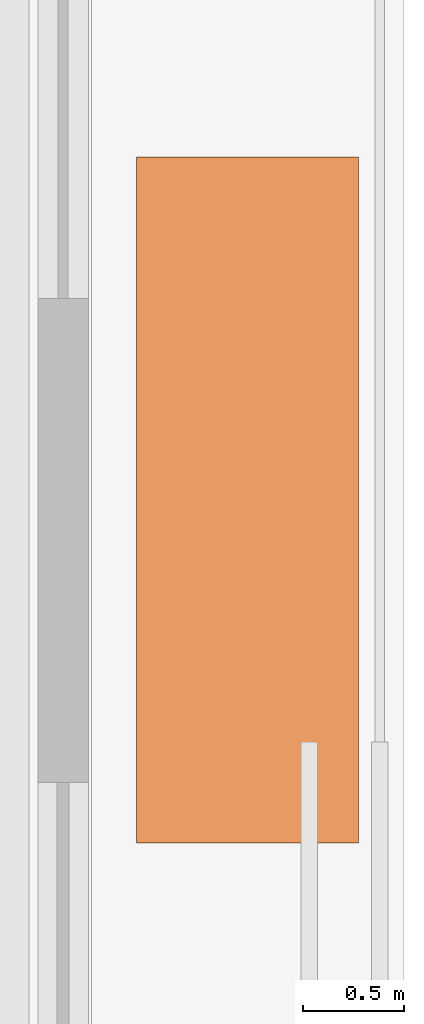
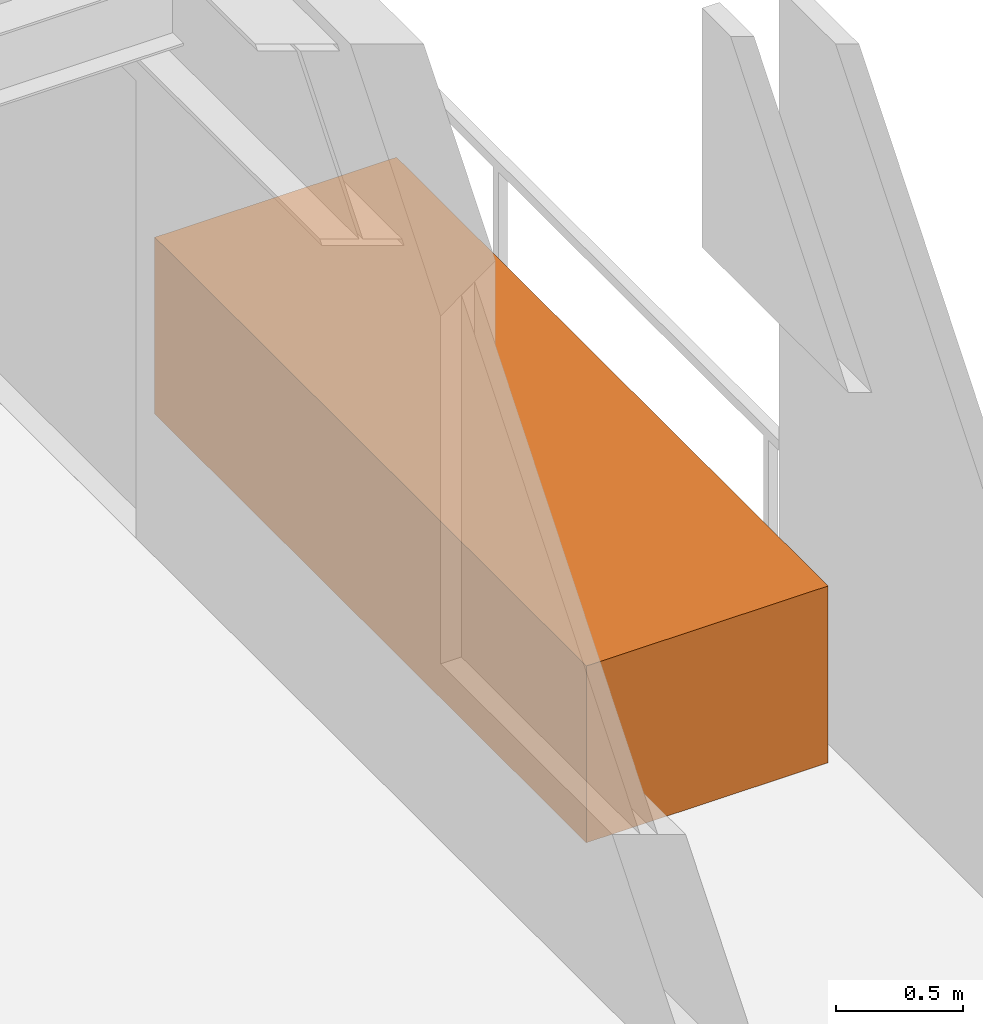
# One storey, part 30 of 30: 1 proxy.
"""IFC4 building model written with IfcOpenShell, lengths in metres."""

from ifc_helpers import new_model, si_unit, direction, frame, origin, origin_2d, place, context, subcontext, project, spatial, rectangle, extrude, material, type_object, element, save


model = new_model("IFC4")

# Units and contexts
model_context = context("Model", 3, precision=1e-05, world=origin(), true_north=direction((0.0, 1.0)))
body_context = subcontext(model_context, "Body", "Model", "MODEL_VIEW")
ifc_project = project(units=[si_unit("LENGTHUNIT", "METRE"), si_unit("AREAUNIT", "SQUARE_METRE"), si_unit("VOLUMEUNIT", "CUBIC_METRE"), si_unit("PLANEANGLEUNIT", "RADIAN"), si_unit("MASSUNIT", "GRAM", prefix="KILO")], contexts=[model_context])

# Site, building, storey
site_placement = place(None, origin())
site = spatial("IfcSite", under=ifc_project, at=site_placement, CompositionType="ELEMENT")
building_placement = place(site_placement, origin())
building = spatial("IfcBuilding", under=site, at=building_placement, Name="Brelmoor Portico Tower", CompositionType="ELEMENT")
storey_placement = place(building_placement, frame((0.0, 0.0, 187.5)))
storey = spatial("IfcBuildingStorey", under=building, at=storey_placement, Name="L49", CompositionType="ELEMENT", Elevation=187.5)

# Proxy
ifc_material = material(Name="Architectural Precast Concrete C40", Category="concrete")
building_element_proxy_type = type_object("IfcBuildingElementProxyType", Name="TREE PLANTER", PredefinedType="USERDEFINED", material=ifc_material)
proxy_placement = place(storey_placement, frame((21.77490234375, -3.39990234375, 0.0), z_axis=(0.0, 0.0, 1.0), x_axis=(0.0, 1.0, 0.0)))
element("IfcBuildingElementProxy", 1, at=proxy_placement, inside=storey, type_object=building_element_proxy_type, Name="L49 Planted Tree Planter E", ObjectType="PLANTER", PredefinedType="USERDEFINED", context=body_context, shape_type="SweptSolid", body=[
    extrude(rectangle(XDim=3.39990234375, YDim=1.10009765625, at=origin_2d()), origin(), (0.0, 0.0, 1.0), 0.85009765625),
])

save(model, "model.ifc")
